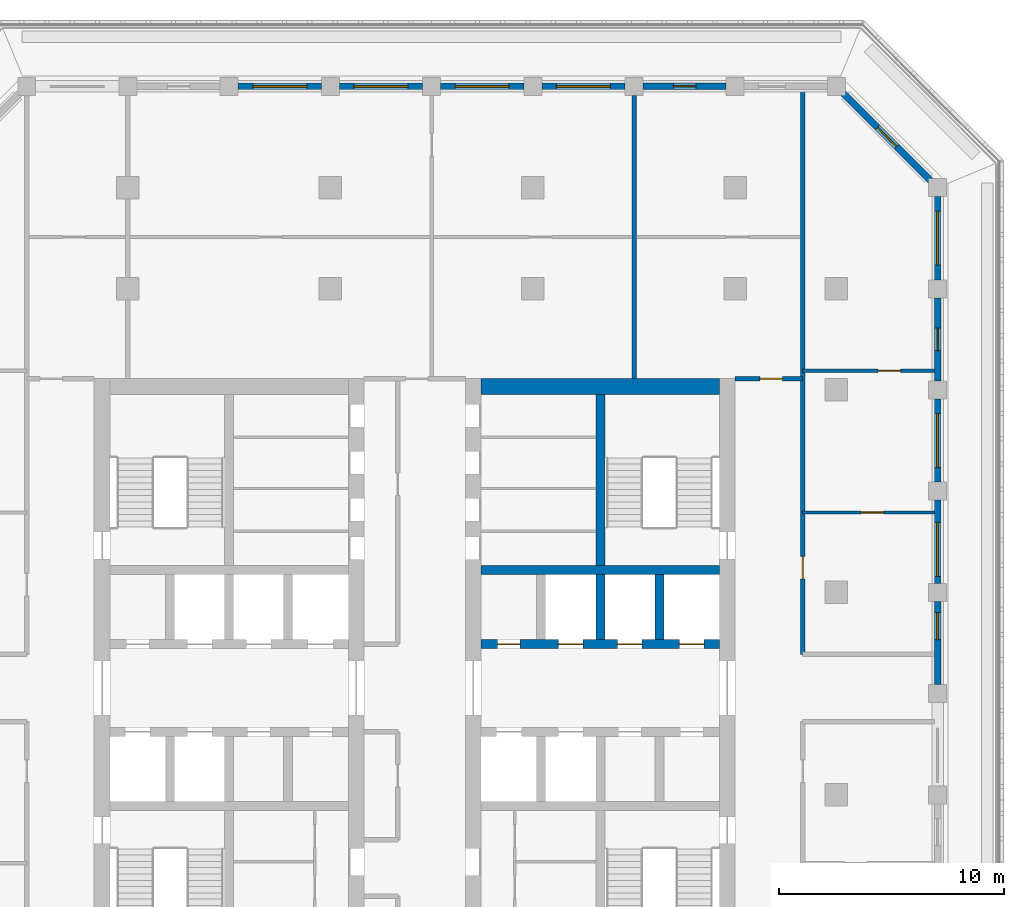
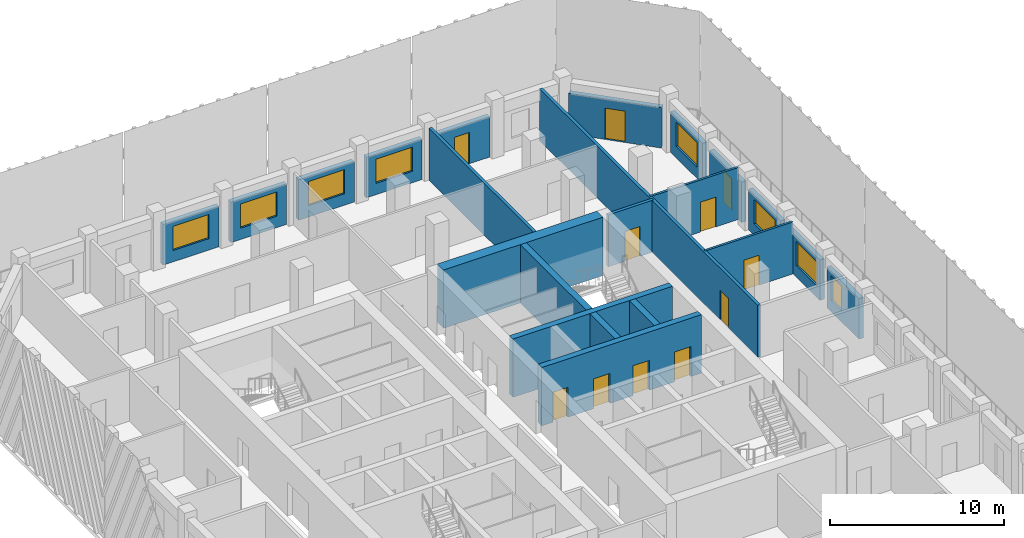
# One storey, part 7 of 17: 22 walls, 11 doors, 8 windows, 19 openings.
"""IFC4 building model written with IfcOpenShell, lengths in metres."""

from ifc_helpers import new_model, si_unit, direction, frame, frame_2d, origin, place, context, subcontext, project, spatial, rectangle, extrude, material, layer, layer_set, type_object, element, fill, save


model = new_model("IFC4")

# Units and contexts
model_context = context("Model", 3, precision=1e-05, world=origin(), true_north=direction((0.0, 1.0)))
body_context = subcontext(model_context, "Body", "Model", "MODEL_VIEW")
ifc_project = project(units=[si_unit("LENGTHUNIT", "METRE"), si_unit("AREAUNIT", "SQUARE_METRE"), si_unit("VOLUMEUNIT", "CUBIC_METRE"), si_unit("PLANEANGLEUNIT", "RADIAN"), si_unit("MASSUNIT", "GRAM", prefix="KILO")], contexts=[model_context])

# Site, building, storey
site_placement = place(None, origin())
site = spatial("IfcSite", under=ifc_project, at=site_placement, CompositionType="ELEMENT")
building_placement = place(site_placement, origin())
building = spatial("IfcBuilding", under=site, at=building_placement, Name="Corbel Stack Research Tower", CompositionType="ELEMENT")
storey_placement = place(building_placement, frame((0.0, 0.0, 239.800048828125)))
storey = spatial("IfcBuildingStorey", under=building, at=storey_placement, Name="L54", CompositionType="ELEMENT", Elevation=239.800048828125)

# Wall, openings, doors
ifc_material_1 = material(Name="Concrete C60/75", Category="concrete")
ifc_layer_1 = layer(ifc_material_1, 0.39990234375)
ifc_layer_set_1 = layer_set([ifc_layer_1], Name="Concrete C60/75")
wall_type_1 = type_object("IfcWallType", Name="CW-400-60", PredefinedType="SHEAR", material=ifc_layer_set_1)
wall_1_placement = place(storey_placement, frame((6.699951171875, 6.699951171875, 0.0), z_axis=(0.0, 0.0, 1.0), x_axis=(1.0, 0.0, 0.0)))
wall_1 = element("IfcWall", 1, at=wall_1_placement, inside=storey, type_object=wall_type_1, Name="East core wall, lobby north L54", PredefinedType="SHEAR", context=body_context, shape_type="SweptSolid", body=[
    extrude(rectangle(XDim=10.60009765625, YDim=0.39990234375, at=frame_2d((5.300048828125, 0.0))), origin(), (0.0, 0.0, 1.0), 4.099853515625),
])
opening_1_placement = place(wall_1_placement, frame((3.4375, 0.0, 0.0)))
opening_1 = element("IfcOpeningElement", 2, at=opening_1_placement, cuts=wall_1, Name="Opening LD-HR4", PredefinedType="OPENING", context=body_context, shape_type="SweptSolid", body=[
    extrude(rectangle(XDim=1.10009765625, YDim=2.10009765625, at=frame_2d((0.550048828125, 1.050048828125))), frame((0.0, 0.2099609375, 0.0), z_axis=(0.0, -1.0, 0.0), x_axis=(1.0, 0.0, 0.0)), (0.0, 0.0, 1.0), 0.419921875),
])
opening_2_placement = place(wall_1_placement, frame((6.0625, 0.0, 0.0)))
opening_2 = element("IfcOpeningElement", 3, at=opening_2_placement, cuts=wall_1, Name="Opening LD-HR5", PredefinedType="OPENING", context=body_context, shape_type="SweptSolid", body=[
    extrude(rectangle(XDim=1.10009765625, YDim=2.10009765625, at=frame_2d((0.550048828125, 1.050048828125))), frame((0.0, 0.2099609375, 0.0), z_axis=(0.0, -1.0, 0.0), x_axis=(1.0, 0.0, 0.0)), (0.0, 0.0, 1.0), 0.419921875),
])
opening_3_placement = place(wall_1_placement, frame((8.8125, 0.0, 0.0)))
opening_3 = element("IfcOpeningElement", 4, at=opening_3_placement, cuts=wall_1, Name="Opening LD-HR6", PredefinedType="OPENING", context=body_context, shape_type="SweptSolid", body=[
    extrude(rectangle(XDim=1.10009765625, YDim=2.10009765625, at=frame_2d((0.550048828125, 1.050048828125))), frame((0.0, 0.2099609375, 0.0), z_axis=(0.0, -1.0, 0.0), x_axis=(1.0, 0.0, 0.0)), (0.0, 0.0, 1.0), 0.419921875),
])
opening_4_placement = place(wall_1_placement, frame((0.737548828125, 0.0, 0.0)))
opening_4 = element("IfcOpeningElement", 5, at=opening_4_placement, cuts=wall_1, Name="Opening CR-E66-N1", PredefinedType="OPENING", context=body_context, shape_type="SweptSolid", body=[
    extrude(rectangle(XDim=1.0, YDim=2.10009765625, at=frame_2d((0.5, 1.050048828125))), frame((0.0, 0.2099609375, 0.0), z_axis=(0.0, -1.0, 0.0), x_axis=(1.0, 0.0, 0.0)), (0.0, 0.0, 1.0), 0.419921875),
])
ifc_material_2 = material(Name="Stainless steel landing door", Category="steel")
door_type_1 = type_object("IfcDoorType", Name="Lift landing door 1100 x 2100", OperationType="DOUBLE_DOOR_SLIDING", PredefinedType="DOOR", material=ifc_material_2)
door_1_placement = place(opening_1_placement, origin())
door_1 = element("IfcDoor", 6, at=door_1_placement, inside=storey, type_object=door_type_1, Name="Landing door HR4", OperationType="DOUBLE_DOOR_SLIDING", OverallHeight=2.10009765625, OverallWidth=1.10009765625, PredefinedType="DOOR", context=body_context, shape_type="SweptSolid", body=[
    extrude(rectangle(XDim=1.10009765625, YDim=2.10009765625, at=frame_2d((0.550048828125, 1.050048828125))), frame((0.0, 0.02490234375, 0.0), z_axis=(0.0, -1.0, 0.0), x_axis=(1.0, 0.0, 0.0)), (0.0, 0.0, 1.0), 0.050048828125),
])
fill(opening_1, door_1)
door_2_placement = place(opening_2_placement, origin())
door_2 = element("IfcDoor", 7, at=door_2_placement, inside=storey, type_object=door_type_1, Name="Landing door HR5", OperationType="DOUBLE_DOOR_SLIDING", OverallHeight=2.10009765625, OverallWidth=1.10009765625, PredefinedType="DOOR", context=body_context, shape_type="SweptSolid", body=[
    extrude(rectangle(XDim=1.10009765625, YDim=2.10009765625, at=frame_2d((0.550048828125, 1.050048828125))), frame((0.0, 0.02490234375, 0.0), z_axis=(0.0, -1.0, 0.0), x_axis=(1.0, 0.0, 0.0)), (0.0, 0.0, 1.0), 0.050048828125),
])
fill(opening_2, door_2)
door_3_placement = place(opening_3_placement, origin())
door_3 = element("IfcDoor", 8, at=door_3_placement, inside=storey, type_object=door_type_1, Name="Landing door HR6", OperationType="DOUBLE_DOOR_SLIDING", OverallHeight=2.10009765625, OverallWidth=1.10009765625, PredefinedType="DOOR", context=body_context, shape_type="SweptSolid", body=[
    extrude(rectangle(XDim=1.10009765625, YDim=2.10009765625, at=frame_2d((0.550048828125, 1.050048828125))), frame((0.0, 0.02490234375, 0.0), z_axis=(0.0, -1.0, 0.0), x_axis=(1.0, 0.0, 0.0)), (0.0, 0.0, 1.0), 0.050048828125),
])
fill(opening_3, door_3)
ifc_material_3 = material(Name="Painted steel door", Category="steel")
door_type_2 = type_object("IfcDoorType", Name="Service door 1000 x 2100 FD60 left hand", OperationType="SINGLE_SWING_LEFT", PredefinedType="DOOR", material=ifc_material_3)
door_4_placement = place(opening_4_placement, origin())
door_4 = element("IfcDoor", 9, at=door_4_placement, inside=storey, type_object=door_type_2, Name="Electrical room door E core", OperationType="SINGLE_SWING_LEFT", OverallHeight=2.10009765625, OverallWidth=1.0, PredefinedType="DOOR", context=body_context, shape_type="SweptSolid", body=[
    extrude(rectangle(XDim=1.0, YDim=2.10009765625, at=frame_2d((0.5, 1.050048828125))), frame((0.0, 0.02490234375, 0.0), z_axis=(0.0, -1.0, 0.0), x_axis=(1.0, 0.0, 0.0)), (0.0, 0.0, 1.0), 0.050048828125),
])
fill(opening_4, door_4)

# Walls
wall_2_placement = place(storey_placement, frame((6.699951171875, 10.0, 0.0), z_axis=(0.0, 0.0, 1.0), x_axis=(1.0, 0.0, 0.0)))
element("IfcWall", 10, at=wall_2_placement, inside=storey, type_object=wall_type_1, Name="East core wall, north row back L54", PredefinedType="SHEAR", context=body_context, shape_type="SweptSolid", body=[
    extrude(rectangle(XDim=10.60009765625, YDim=0.39990234375, at=frame_2d((5.300048828125, 0.0))), origin(), (0.0, 0.0, 1.0), 4.099853515625),
])
for number, where, z_axis, x_axis, name in (
    (11, (12.0, 6.89990234375, 0.0), (0.0, 0.0, 1.0), (0.0, 1.0, 0.0), "East core wall, north shaft 2 L54"),
    (12, (14.625, 6.89990234375, 0.0), (0.0, 0.0, 1.0), (0.0, 1.0, 0.0), "East core wall, north shaft 3 L54"),
):
    element("IfcWall", number, at=place(storey_placement, frame(where, z_axis=z_axis, x_axis=x_axis)), inside=storey, type_object=wall_type_1, Name=name, PredefinedType="SHEAR", context=body_context, shape_type="SweptSolid", body=[
        extrude(rectangle(XDim=2.900146484375, YDim=0.39990234375, at=frame_2d((1.4501953125, 0.0))), origin(), (0.0, 0.0, 1.0), 4.099853515625),
    ])
wall_3_placement = place(storey_placement, frame((12.0, 10.199951171875, 0.0), z_axis=(0.0, 0.0, 1.0), x_axis=(0.0, 1.0, 0.0)))
element("IfcWall", 13, at=wall_3_placement, inside=storey, type_object=wall_type_1, Name="East core wall, north stair and riser L54", PredefinedType="SHEAR", context=body_context, shape_type="SweptSolid", body=[
    extrude(rectangle(XDim=7.60009765625, YDim=0.39990234375, at=frame_2d((3.800048828125, 0.0))), origin(), (0.0, 0.0, 1.0), 4.099853515625),
])
ifc_material_4 = material(Name="Concrete C60/75", Category="concrete")
ifc_layer_2 = layer(ifc_material_4, 0.699951171875)
ifc_layer_set_2 = layer_set([ifc_layer_2], Name="Concrete C60/75")
wall_type_2 = type_object("IfcWallType", Name="CW-700-60", PredefinedType="SHEAR", material=ifc_layer_set_2)
wall_4_placement = place(storey_placement, frame((6.699951171875, 18.14990234375, 0.0), z_axis=(0.0, 0.0, 1.0), x_axis=(1.0, 0.0, 0.0)))
element("IfcWall", 14, at=wall_4_placement, inside=storey, type_object=wall_type_2, Name="East core wall, north end L54", PredefinedType="SHEAR", context=body_context, shape_type="SweptSolid", body=[
    extrude(rectangle(XDim=10.60009765625, YDim=0.699951171875, at=frame_2d((5.300048828125, 0.0))), origin(), (0.0, 0.0, 1.0), 4.099853515625),
])
ifc_material_5 = material(Name="Fire-rated gypsum board partition on steel studs", Category="steel")
ifc_layer_3 = layer(ifc_material_5, 0.199951171875)
ifc_layer_set_3 = layer_set([ifc_layer_3], Name="Fire-rated gypsum board partition on steel studs")
wall_type_3 = type_object("IfcWallType", Name="Fire-rated partition 200 EI 60", PredefinedType="PARTITIONING", material=ifc_layer_set_3)
wall_5_placement = place(storey_placement, frame((13.5, 18.5, 0.0), z_axis=(0.0, 0.0, 1.0), x_axis=(0.0, 1.0, 0.0)))
element("IfcWall", 15, at=wall_5_placement, inside=storey, type_object=wall_type_3, Name="Partition L54-014", PredefinedType="PARTITIONING", context=body_context, shape_type="SweptSolid", body=[
    extrude(rectangle(XDim=12.60009765625, YDim=0.199951171875, at=frame_2d((6.300048828125, 0.0))), origin(), (0.0, 0.0, 1.0), 3.64990234375),
])

# Wall, opening, door
wall_6_placement = place(storey_placement, frame((21.0, 31.35009765625, 0.0), z_axis=(0.0, 0.0, 1.0), x_axis=(0.0, -1.0, 0.0)))
wall_6 = element("IfcWall", 16, at=wall_6_placement, inside=storey, type_object=wall_type_3, Name="Partition L54-016", PredefinedType="PARTITIONING", context=body_context, shape_type="SweptSolid", body=[
    extrude(rectangle(XDim=25.10009765625, YDim=0.199951171875, at=frame_2d((12.550048828125, 0.0))), origin(), (0.0, 0.0, 1.0), 3.64990234375),
])
opening_5_placement = place(wall_6_placement, frame((20.75, 0.0, 0.0)))
opening_5 = element("IfcOpeningElement", 17, at=opening_5_placement, cuts=wall_6, Name="Opening B7V0-027", PredefinedType="OPENING", context=body_context, shape_type="SweptSolid", body=[
    extrude(rectangle(XDim=1.0, YDim=2.10009765625, at=frame_2d((0.5, 1.050048828125))), frame((0.0, 0.10986328125, 0.0), z_axis=(0.0, -1.0, 0.0), x_axis=(1.0, 0.0, 0.0)), (0.0, 0.0, 1.0), 0.219970703125),
])
ifc_material_6 = material(Name="Painted steel fire door", Category="steel")
door_type_3 = type_object("IfcDoorType", Name="Fire door FD30S 1000 x 2100", OperationType="NOTDEFINED", PredefinedType="DOOR", material=ifc_material_6)
door_5_placement = place(opening_5_placement, origin())
door_5 = element("IfcDoor", 18, at=door_5_placement, inside=storey, type_object=door_type_3, Name="Door B7V0-027", OperationType="SINGLE_SWING_RIGHT", OverallHeight=2.10009765625, OverallWidth=1.0, PredefinedType="DOOR", context=body_context, shape_type="SweptSolid", body=[
    extrude(rectangle(XDim=1.0, YDim=2.10009765625, at=frame_2d((0.5, 1.050048828125))), frame((0.0, 0.02490234375, 0.0), z_axis=(0.0, -1.0, 0.0), x_axis=(1.0, 0.0, 0.0)), (0.0, 0.0, 1.0), 0.050048828125),
])
fill(opening_5, door_5)

wall_7_placement = place(storey_placement, frame((18.0, 18.5, 0.0), z_axis=(0.0, 0.0, 1.0), x_axis=(1.0, 0.0, 0.0)))
wall_7 = element("IfcWall", 19, at=wall_7_placement, inside=storey, type_object=wall_type_3, Name="Partition L54-038", PredefinedType="PARTITIONING", context=body_context, shape_type="SweptSolid", body=[
    extrude(rectangle(XDim=3.0, YDim=0.199951171875, at=frame_2d((1.5, 0.0))), origin(), (0.0, 0.0, 1.0), 3.64990234375),
])
opening_6_placement = place(wall_7_placement, frame((1.10009765625, 0.0, 0.0)))
opening_6 = element("IfcOpeningElement", 20, at=opening_6_placement, cuts=wall_7, Name="Opening B7V0-023", PredefinedType="OPENING", context=body_context, shape_type="SweptSolid", body=[
    extrude(rectangle(XDim=1.0, YDim=2.10009765625, at=frame_2d((0.5, 1.050048828125))), frame((0.0, 0.10986328125, 0.0), z_axis=(0.0, -1.0, 0.0), x_axis=(1.0, 0.0, 0.0)), (0.0, 0.0, 1.0), 0.219970703125),
])
door_6_placement = place(opening_6_placement, origin())
door_6 = element("IfcDoor", 21, at=door_6_placement, inside=storey, type_object=door_type_3, Name="Door B7V0-023", OperationType="SINGLE_SWING_RIGHT", OverallHeight=2.10009765625, OverallWidth=1.0, PredefinedType="DOOR", context=body_context, shape_type="SweptSolid", body=[
    extrude(rectangle(XDim=1.0, YDim=2.10009765625, at=frame_2d((0.5, 1.050048828125))), frame((0.0, 0.02490234375, 0.0), z_axis=(0.0, -1.0, 0.0), x_axis=(1.0, 0.0, 0.0)), (0.0, 0.0, 1.0), 0.050048828125),
])
fill(opening_6, door_6)

ifc_material_7 = material(Name="Gypsum board partition on steel studs", Category="steel")
ifc_layer_4 = layer(ifc_material_7, 0.14990234375)
ifc_layer_set_4 = layer_set([ifc_layer_4], Name="Gypsum board partition on steel studs")
wall_type_4 = type_object("IfcWallType", Name="Partition 150", PredefinedType="PARTITIONING", material=ifc_layer_set_4)
wall_8_placement = place(storey_placement, frame((21.0, 12.550048828125, 0.0), z_axis=(0.0, 0.0, 1.0), x_axis=(1.0, 0.0, 0.0)))
wall_8 = element("IfcWall", 22, at=wall_8_placement, inside=storey, type_object=wall_type_4, Name="Partition L54-035", PredefinedType="PARTITIONING", context=body_context, shape_type="SweptSolid", body=[
    extrude(rectangle(XDim=5.85009765625, YDim=0.14990234375, at=frame_2d((2.925048828125, 0.0))), origin(), (0.0, 0.0, 1.0), 3.64990234375),
])
opening_7_placement = place(wall_8_placement, frame((2.60009765625, 0.0, 0.0)))
opening_7 = element("IfcOpeningElement", 23, at=opening_7_placement, cuts=wall_8, Name="Opening B7V0-020", PredefinedType="OPENING", context=body_context, shape_type="SweptSolid", body=[
    extrude(rectangle(XDim=1.0, YDim=2.10009765625, at=frame_2d((0.5, 1.050048828125))), frame((0.0, 0.0849609375, 0.0), z_axis=(0.0, -1.0, 0.0), x_axis=(1.0, 0.0, 0.0)), (0.0, 0.0, 1.0), 0.169921875),
])
ifc_material_8 = material(Name="Painted timber door", Category="wood")
door_type_4 = type_object("IfcDoorType", Name="Single door 1000 x 2100", OperationType="NOTDEFINED", PredefinedType="DOOR", material=ifc_material_8)
door_7_placement = place(opening_7_placement, origin())
door_7 = element("IfcDoor", 24, at=door_7_placement, inside=storey, type_object=door_type_4, Name="Door B7V0-020", OperationType="SINGLE_SWING_RIGHT", OverallHeight=2.10009765625, OverallWidth=1.0, PredefinedType="DOOR", context=body_context, shape_type="SweptSolid", body=[
    extrude(rectangle(XDim=1.0, YDim=2.10009765625, at=frame_2d((0.5, 1.050048828125))), frame((0.0, 0.02490234375, 0.0), z_axis=(0.0, -1.0, 0.0), x_axis=(1.0, 0.0, 0.0)), (0.0, 0.0, 1.0), 0.050048828125),
])
fill(opening_7, door_7)

wall_9_placement = place(storey_placement, frame((21.0, 18.85009765625, 0.0), z_axis=(0.0, 0.0, 1.0), x_axis=(1.0, 0.0, 0.0)))
wall_9 = element("IfcWall", 25, at=wall_9_placement, inside=storey, type_object=wall_type_4, Name="Partition L54-040", PredefinedType="PARTITIONING", context=body_context, shape_type="SweptSolid", body=[
    extrude(rectangle(XDim=5.85009765625, YDim=0.14990234375, at=frame_2d((2.925048828125, 0.0))), origin(), (0.0, 0.0, 1.0), 3.64990234375),
])
opening_8_placement = place(wall_9_placement, frame((3.35009765625, 0.0, 0.0)))
opening_8 = element("IfcOpeningElement", 26, at=opening_8_placement, cuts=wall_9, Name="Opening B7V0-025", PredefinedType="OPENING", context=body_context, shape_type="SweptSolid", body=[
    extrude(rectangle(XDim=1.0, YDim=2.10009765625, at=frame_2d((0.5, 1.050048828125))), frame((0.0, 0.0849609375, 0.0), z_axis=(0.0, -1.0, 0.0), x_axis=(1.0, 0.0, 0.0)), (0.0, 0.0, 1.0), 0.169921875),
])
door_8_placement = place(opening_8_placement, origin())
door_8 = element("IfcDoor", 27, at=door_8_placement, inside=storey, type_object=door_type_4, Name="Door B7V0-025", OperationType="SINGLE_SWING_RIGHT", OverallHeight=2.10009765625, OverallWidth=1.0, PredefinedType="DOOR", context=body_context, shape_type="SweptSolid", body=[
    extrude(rectangle(XDim=1.0, YDim=2.10009765625, at=frame_2d((0.5, 1.050048828125))), frame((0.0, 0.02490234375, 0.0), z_axis=(0.0, -1.0, 0.0), x_axis=(1.0, 0.0, 0.0)), (0.0, 0.0, 1.0), 0.050048828125),
])
fill(opening_8, door_8)

# Wall, opening, window
ifc_material_9 = material(Name="Concrete C45/55", Category="concrete")
ifc_layer_5 = layer(ifc_material_9, 0.300048828125)
ifc_layer_set_5 = layer_set([ifc_layer_5], Name="Concrete C45/55")
wall_type_5 = type_object("IfcWallType", Name="Terracotta-faced concrete wall 300", PredefinedType="SOLIDWALL", material=ifc_layer_set_5)
wall_10_placement = place(storey_placement, frame((27.0, 8.60009765625, 0.0), z_axis=(0.0, 0.0, 1.0), x_axis=(0.0, -1.0, 0.0)))
wall_10 = element("IfcWall", 28, at=wall_10_placement, inside=storey, type_object=wall_type_5, Name="Facade wall L54 E06", PredefinedType="SOLIDWALL", context=body_context, shape_type="SweptSolid", body=[
    extrude(rectangle(XDim=3.7001953125, YDim=0.300048828125, at=frame_2d((1.85009765625, 0.0))), origin(), (0.0, 0.0, 1.0), 2.849853515625),
])
opening_9_placement = place(wall_10_placement, frame((0.5, 0.0, 0.800048828125)))
opening_9 = element("IfcOpeningElement", 29, at=opening_9_placement, cuts=wall_10, Name="Opening W2", PredefinedType="OPENING", context=body_context, shape_type="SweptSolid", body=[
    extrude(rectangle(XDim=1.199951171875, YDim=1.699951171875, at=frame_2d((0.60009765625, 0.85009765625))), frame((0.0, 0.159912109375, 0.0), z_axis=(0.0, -1.0, 0.0), x_axis=(1.0, 0.0, 0.0)), (0.0, 0.0, 1.0), 0.320068359375),
])
ifc_material_10 = material(Name="Aluminium frame, clear double glazing", Category="aluminium")
window_type_1 = type_object("IfcWindowType", Name="Window W2 1200 x 1700", PartitioningType="SINGLE_PANEL", PredefinedType="WINDOW", material=ifc_material_10)
window_1_placement = place(opening_9_placement, origin())
window_1 = element("IfcWindow", 30, at=window_1_placement, inside=storey, type_object=window_type_1, Name="Window W2 L54 E06", OverallHeight=1.699951171875, OverallWidth=1.199951171875, PartitioningType="SINGLE_PANEL", PredefinedType="WINDOW", context=body_context, shape_type="SweptSolid", body=[
    extrude(rectangle(XDim=1.199951171875, YDim=1.699951171875, at=frame_2d((0.60009765625, 0.85009765625))), frame((0.0, 0.030029296875, 0.0), z_axis=(0.0, -1.0, 0.0), x_axis=(1.0, 0.0, 0.0)), (0.0, 0.0, 1.0), 0.06005859375),
])
fill(opening_9, window_1)

wall_11_placement = place(storey_placement, frame((27.0, 13.10009765625, 0.0), z_axis=(0.0, 0.0, 1.0), x_axis=(0.0, -1.0, 0.0)))
wall_11 = element("IfcWall", 31, at=wall_11_placement, inside=storey, type_object=wall_type_5, Name="Facade wall L54 E07", PredefinedType="SOLIDWALL", context=body_context, shape_type="SweptSolid", body=[
    extrude(rectangle(XDim=3.7001953125, YDim=0.300048828125, at=frame_2d((1.85009765625, 0.0))), origin(), (0.0, 0.0, 1.0), 2.849853515625),
])
opening_10_placement = place(wall_11_placement, frame((0.987548828125, 0.0, 0.800048828125)))
opening_10 = element("IfcOpeningElement", 32, at=opening_10_placement, cuts=wall_11, Name="Opening W1", PredefinedType="OPENING", context=body_context, shape_type="SweptSolid", body=[
    extrude(rectangle(XDim=2.39990234375, YDim=1.699951171875, at=frame_2d((1.199951171875, 0.85009765625))), frame((0.0, 0.159912109375, 0.0), z_axis=(0.0, -1.0, 0.0), x_axis=(1.0, 0.0, 0.0)), (0.0, 0.0, 1.0), 0.320068359375),
])
ifc_material_11 = material(Name="Aluminium frame, clear double glazing", Category="aluminium")
window_type_2 = type_object("IfcWindowType", Name="Window W1 2400 x 1700", PartitioningType="SINGLE_PANEL", PredefinedType="WINDOW", material=ifc_material_11)
window_2_placement = place(opening_10_placement, origin())
window_2 = element("IfcWindow", 33, at=window_2_placement, inside=storey, type_object=window_type_2, Name="Window W1 L54 E07", OverallHeight=1.699951171875, OverallWidth=2.39990234375, PartitioningType="SINGLE_PANEL", PredefinedType="WINDOW", context=body_context, shape_type="SweptSolid", body=[
    extrude(rectangle(XDim=2.39990234375, YDim=1.699951171875, at=frame_2d((1.199951171875, 0.85009765625))), frame((0.0, 0.030029296875, 0.0), z_axis=(0.0, -1.0, 0.0), x_axis=(1.0, 0.0, 0.0)), (0.0, 0.0, 1.0), 0.06005859375),
])
fill(opening_10, window_2)

wall_12_placement = place(storey_placement, frame((27.0, 17.60009765625, 0.0), z_axis=(0.0, 0.0, 1.0), x_axis=(0.0, -1.0, 0.0)))
wall_12 = element("IfcWall", 34, at=wall_12_placement, inside=storey, type_object=wall_type_5, Name="Facade wall L54 E08", PredefinedType="SOLIDWALL", context=body_context, shape_type="SweptSolid", body=[
    extrude(rectangle(XDim=3.7001953125, YDim=0.300048828125, at=frame_2d((1.85009765625, 0.0))), origin(), (0.0, 0.0, 1.0), 2.849853515625),
])
opening_11_placement = place(wall_12_placement, frame((0.64990234375, 0.0, 0.800048828125)))
opening_11 = element("IfcOpeningElement", 35, at=opening_11_placement, cuts=wall_12, Name="Opening W1", PredefinedType="OPENING", context=body_context, shape_type="SweptSolid", body=[
    extrude(rectangle(XDim=2.39990234375, YDim=1.699951171875, at=frame_2d((1.199951171875, 0.85009765625))), frame((0.0, 0.159912109375, 0.0), z_axis=(0.0, -1.0, 0.0), x_axis=(1.0, 0.0, 0.0)), (0.0, 0.0, 1.0), 0.320068359375),
])
window_3_placement = place(opening_11_placement, origin())
window_3 = element("IfcWindow", 36, at=window_3_placement, inside=storey, type_object=window_type_2, Name="Window W1 L54 E08", OverallHeight=1.699951171875, OverallWidth=2.39990234375, PartitioningType="SINGLE_PANEL", PredefinedType="WINDOW", context=body_context, shape_type="SweptSolid", body=[
    extrude(rectangle(XDim=2.39990234375, YDim=1.699951171875, at=frame_2d((1.199951171875, 0.85009765625))), frame((0.0, 0.030029296875, 0.0), z_axis=(0.0, -1.0, 0.0), x_axis=(1.0, 0.0, 0.0)), (0.0, 0.0, 1.0), 0.06005859375),
])
fill(opening_11, window_3)

# Wall, opening, door
wall_13_placement = place(storey_placement, frame((27.0, 22.10009765625, 0.0), z_axis=(0.0, 0.0, 1.0), x_axis=(0.0, -1.0, 0.0)))
wall_13 = element("IfcWall", 37, at=wall_13_placement, inside=storey, type_object=wall_type_5, Name="Facade wall L54 E09", PredefinedType="SOLIDWALL", context=body_context, shape_type="SweptSolid", body=[
    extrude(rectangle(XDim=3.7001953125, YDim=0.300048828125, at=frame_2d((1.85009765625, 0.0))), origin(), (0.0, 0.0, 1.0), 2.849853515625),
])
opening_12_placement = place(wall_13_placement, frame((1.35009765625, 0.0, 0.0)))
opening_12 = element("IfcOpeningElement", 38, at=opening_12_placement, cuts=wall_13, Name="Opening L54-B05", PredefinedType="OPENING", context=body_context, shape_type="SweptSolid", body=[
    extrude(rectangle(XDim=1.0, YDim=2.199951171875, at=frame_2d((0.5, 1.10009765625))), frame((0.0, 0.159912109375, 0.0), z_axis=(0.0, -1.0, 0.0), x_axis=(1.0, 0.0, 0.0)), (0.0, 0.0, 1.0), 0.320068359375),
])
ifc_material_12 = material(Name="Aluminium frame, clear double glazing", Category="aluminium")
door_type_5 = type_object("IfcDoorType", Name="Balcony door BD1 1000 x 2200", OperationType="NOTDEFINED", PredefinedType="DOOR", material=ifc_material_12)
door_9_placement = place(opening_12_placement, origin())
door_9 = element("IfcDoor", 39, at=door_9_placement, inside=storey, type_object=door_type_5, Name="Balcony door L54-B05", OperationType="SINGLE_SWING_LEFT", OverallHeight=2.199951171875, OverallWidth=1.0, PredefinedType="DOOR", context=body_context, shape_type="SweptSolid", body=[
    extrude(rectangle(XDim=1.0, YDim=2.199951171875, at=frame_2d((0.5, 1.10009765625))), frame((0.0, 0.02490234375, 0.0), z_axis=(0.0, -1.0, 0.0), x_axis=(1.0, 0.0, 0.0)), (0.0, 0.0, 1.0), 0.050048828125),
])
fill(opening_12, door_9)

# Wall, opening, window
wall_14_placement = place(storey_placement, frame((27.0, 26.60009765625, 0.0), z_axis=(0.0, 0.0, 1.0), x_axis=(0.0, -1.0, 0.0)))
wall_14 = element("IfcWall", 40, at=wall_14_placement, inside=storey, type_object=wall_type_5, Name="Facade wall L54 E10", PredefinedType="SOLIDWALL", context=body_context, shape_type="SweptSolid", body=[
    extrude(rectangle(XDim=3.7001953125, YDim=0.300048828125, at=frame_2d((1.85009765625, 0.0))), origin(), (0.0, 0.0, 1.0), 2.849853515625),
])
opening_13_placement = place(wall_14_placement, frame((0.64990234375, 0.0, 0.800048828125)))
opening_13 = element("IfcOpeningElement", 41, at=opening_13_placement, cuts=wall_14, Name="Opening W1", PredefinedType="OPENING", context=body_context, shape_type="SweptSolid", body=[
    extrude(rectangle(XDim=2.39990234375, YDim=1.699951171875, at=frame_2d((1.199951171875, 0.85009765625))), frame((0.0, 0.159912109375, 0.0), z_axis=(0.0, -1.0, 0.0), x_axis=(1.0, 0.0, 0.0)), (0.0, 0.0, 1.0), 0.320068359375),
])
window_4_placement = place(opening_13_placement, origin())
window_4 = element("IfcWindow", 42, at=window_4_placement, inside=storey, type_object=window_type_2, Name="Window W1 L54 E10", OverallHeight=1.699951171875, OverallWidth=2.39990234375, PartitioningType="SINGLE_PANEL", PredefinedType="WINDOW", context=body_context, shape_type="SweptSolid", body=[
    extrude(rectangle(XDim=2.39990234375, YDim=1.699951171875, at=frame_2d((1.199951171875, 0.85009765625))), frame((0.0, 0.030029296875, 0.0), z_axis=(0.0, -1.0, 0.0), x_axis=(1.0, 0.0, 0.0)), (0.0, 0.0, 1.0), 0.06005859375),
])
fill(opening_13, window_4)

# Wall, opening, door
wall_15_placement = place(storey_placement, frame((22.7939453125, 31.2060546875, 0.0), z_axis=(0.0, 0.0, 1.0), x_axis=(0.707106781187, -0.707106781187, 0.0)))
wall_15 = element("IfcWall", 43, at=wall_15_placement, inside=storey, type_object=wall_type_5, Name="Facade wall L54 NE01", PredefinedType="SOLIDWALL", context=body_context, shape_type="SweptSolid", body=[
    extrude(rectangle(XDim=5.532470703125, YDim=0.300048828125, at=frame_2d((2.76611328125, 0.0))), origin(), (0.0, 0.0, 1.0), 2.849853515625),
])
opening_14_placement = place(wall_15_placement, frame((2.166259765625, 0.0, 0.0)))
opening_14 = element("IfcOpeningElement", 44, at=opening_14_placement, cuts=wall_15, Name="Opening L54-B06", PredefinedType="OPENING", context=body_context, shape_type="SweptSolid", body=[
    extrude(rectangle(XDim=1.199951171875, YDim=2.199951171875, at=frame_2d((0.60009765625, 1.10009765625))), frame((0.0, 0.159912109375, 0.0), z_axis=(0.0, -1.0, 0.0), x_axis=(1.0, 0.0, 0.0)), (0.0, 0.0, 1.0), 0.320068359375),
])
ifc_material_13 = material(Name="Aluminium frame, clear double glazing", Category="aluminium")
door_type_6 = type_object("IfcDoorType", Name="Balcony door BD2 1200 x 2200", OperationType="NOTDEFINED", PredefinedType="DOOR", material=ifc_material_13)
door_10_placement = place(opening_14_placement, origin())
door_10 = element("IfcDoor", 45, at=door_10_placement, inside=storey, type_object=door_type_6, Name="Balcony door L54-B06", OperationType="SINGLE_SWING_LEFT", OverallHeight=2.199951171875, OverallWidth=1.199951171875, PredefinedType="DOOR", context=body_context, shape_type="SweptSolid", body=[
    extrude(rectangle(XDim=1.199951171875, YDim=2.199951171875, at=frame_2d((0.60009765625, 1.10009765625))), frame((0.0, 0.02490234375, 0.0), z_axis=(0.0, -1.0, 0.0), x_axis=(1.0, 0.0, 0.0)), (0.0, 0.0, 1.0), 0.050048828125),
])
fill(opening_14, door_10)

wall_16_placement = place(storey_placement, frame((13.89990234375, 31.5, 0.0), z_axis=(0.0, 0.0, 1.0), x_axis=(1.0, 0.0, 0.0)))
wall_16 = element("IfcWall", 46, at=wall_16_placement, inside=storey, type_object=wall_type_5, Name="Facade wall L54 N02", PredefinedType="SOLIDWALL", context=body_context, shape_type="SweptSolid", body=[
    extrude(rectangle(XDim=3.7001953125, YDim=0.300048828125, at=frame_2d((1.85009765625, 0.0))), origin(), (0.0, 0.0, 1.0), 2.849853515625),
])
opening_15_placement = place(wall_16_placement, frame((1.35009765625, 0.0, 0.0)))
opening_15 = element("IfcOpeningElement", 47, at=opening_15_placement, cuts=wall_16, Name="Opening L54-B07", PredefinedType="OPENING", context=body_context, shape_type="SweptSolid", body=[
    extrude(rectangle(XDim=1.0, YDim=2.199951171875, at=frame_2d((0.5, 1.10009765625))), frame((0.0, 0.159912109375, 0.0), z_axis=(0.0, -1.0, 0.0), x_axis=(1.0, 0.0, 0.0)), (0.0, 0.0, 1.0), 0.320068359375),
])
door_11_placement = place(opening_15_placement, origin())
door_11 = element("IfcDoor", 48, at=door_11_placement, inside=storey, type_object=door_type_5, Name="Balcony door L54-B07", OperationType="SINGLE_SWING_RIGHT", OverallHeight=2.199951171875, OverallWidth=1.0, PredefinedType="DOOR", context=body_context, shape_type="SweptSolid", body=[
    extrude(rectangle(XDim=1.0, YDim=2.199951171875, at=frame_2d((0.5, 1.10009765625))), frame((0.0, 0.02490234375, 0.0), z_axis=(0.0, -1.0, 0.0), x_axis=(1.0, 0.0, 0.0)), (0.0, 0.0, 1.0), 0.050048828125),
])
fill(opening_15, door_11)

# Wall, opening, window
wall_17_placement = place(storey_placement, frame((9.39990234375, 31.5, 0.0), z_axis=(0.0, 0.0, 1.0), x_axis=(1.0, 0.0, 0.0)))
wall_17 = element("IfcWall", 49, at=wall_17_placement, inside=storey, type_object=wall_type_5, Name="Facade wall L54 N03", PredefinedType="SOLIDWALL", context=body_context, shape_type="SweptSolid", body=[
    extrude(rectangle(XDim=3.7001953125, YDim=0.300048828125, at=frame_2d((1.85009765625, 0.0))), origin(), (0.0, 0.0, 1.0), 2.849853515625),
])
opening_16_placement = place(wall_17_placement, frame((0.64990234375, 0.0, 0.800048828125)))
opening_16 = element("IfcOpeningElement", 50, at=opening_16_placement, cuts=wall_17, Name="Opening W1", PredefinedType="OPENING", context=body_context, shape_type="SweptSolid", body=[
    extrude(rectangle(XDim=2.39990234375, YDim=1.699951171875, at=frame_2d((1.199951171875, 0.85009765625))), frame((0.0, 0.159912109375, 0.0), z_axis=(0.0, -1.0, 0.0), x_axis=(1.0, 0.0, 0.0)), (0.0, 0.0, 1.0), 0.320068359375),
])
window_5_placement = place(opening_16_placement, origin())
window_5 = element("IfcWindow", 51, at=window_5_placement, inside=storey, type_object=window_type_2, Name="Window W1 L54 N03", OverallHeight=1.699951171875, OverallWidth=2.39990234375, PartitioningType="SINGLE_PANEL", PredefinedType="WINDOW", context=body_context, shape_type="SweptSolid", body=[
    extrude(rectangle(XDim=2.39990234375, YDim=1.699951171875, at=frame_2d((1.199951171875, 0.85009765625))), frame((0.0, 0.030029296875, 0.0), z_axis=(0.0, -1.0, 0.0), x_axis=(1.0, 0.0, 0.0)), (0.0, 0.0, 1.0), 0.06005859375),
])
fill(opening_16, window_5)

wall_18_placement = place(storey_placement, frame((4.89990234375, 31.5, 0.0), z_axis=(0.0, 0.0, 1.0), x_axis=(1.0, 0.0, 0.0)))
wall_18 = element("IfcWall", 52, at=wall_18_placement, inside=storey, type_object=wall_type_5, Name="Facade wall L54 N04", PredefinedType="SOLIDWALL", context=body_context, shape_type="SweptSolid", body=[
    extrude(rectangle(XDim=3.7001953125, YDim=0.300048828125, at=frame_2d((1.85009765625, 0.0))), origin(), (0.0, 0.0, 1.0), 2.849853515625),
])
opening_17_placement = place(wall_18_placement, frame((0.64990234375, 0.0, 0.800048828125)))
opening_17 = element("IfcOpeningElement", 53, at=opening_17_placement, cuts=wall_18, Name="Opening W1", PredefinedType="OPENING", context=body_context, shape_type="SweptSolid", body=[
    extrude(rectangle(XDim=2.39990234375, YDim=1.699951171875, at=frame_2d((1.199951171875, 0.85009765625))), frame((0.0, 0.159912109375, 0.0), z_axis=(0.0, -1.0, 0.0), x_axis=(1.0, 0.0, 0.0)), (0.0, 0.0, 1.0), 0.320068359375),
])
window_6_placement = place(opening_17_placement, origin())
window_6 = element("IfcWindow", 54, at=window_6_placement, inside=storey, type_object=window_type_2, Name="Window W1 L54 N04", OverallHeight=1.699951171875, OverallWidth=2.39990234375, PartitioningType="SINGLE_PANEL", PredefinedType="WINDOW", context=body_context, shape_type="SweptSolid", body=[
    extrude(rectangle(XDim=2.39990234375, YDim=1.699951171875, at=frame_2d((1.199951171875, 0.85009765625))), frame((0.0, 0.030029296875, 0.0), z_axis=(0.0, -1.0, 0.0), x_axis=(1.0, 0.0, 0.0)), (0.0, 0.0, 1.0), 0.06005859375),
])
fill(opening_17, window_6)

wall_19_placement = place(storey_placement, frame((0.39990234375, 31.5, 0.0), z_axis=(0.0, 0.0, 1.0), x_axis=(1.0, 0.0, 0.0)))
wall_19 = element("IfcWall", 55, at=wall_19_placement, inside=storey, type_object=wall_type_5, Name="Facade wall L54 N05", PredefinedType="SOLIDWALL", context=body_context, shape_type="SweptSolid", body=[
    extrude(rectangle(XDim=3.7001953125, YDim=0.300048828125, at=frame_2d((1.85009765625, 0.0))), origin(), (0.0, 0.0, 1.0), 2.849853515625),
])
opening_18_placement = place(wall_19_placement, frame((0.64990234375, 0.0, 0.800048828125)))
opening_18 = element("IfcOpeningElement", 56, at=opening_18_placement, cuts=wall_19, Name="Opening W1", PredefinedType="OPENING", context=body_context, shape_type="SweptSolid", body=[
    extrude(rectangle(XDim=2.39990234375, YDim=1.699951171875, at=frame_2d((1.199951171875, 0.85009765625))), frame((0.0, 0.159912109375, 0.0), z_axis=(0.0, -1.0, 0.0), x_axis=(1.0, 0.0, 0.0)), (0.0, 0.0, 1.0), 0.320068359375),
])
window_7_placement = place(opening_18_placement, origin())
window_7 = element("IfcWindow", 57, at=window_7_placement, inside=storey, type_object=window_type_2, Name="Window W1 L54 N05", OverallHeight=1.699951171875, OverallWidth=2.39990234375, PartitioningType="SINGLE_PANEL", PredefinedType="WINDOW", context=body_context, shape_type="SweptSolid", body=[
    extrude(rectangle(XDim=2.39990234375, YDim=1.699951171875, at=frame_2d((1.199951171875, 0.85009765625))), frame((0.0, 0.030029296875, 0.0), z_axis=(0.0, -1.0, 0.0), x_axis=(1.0, 0.0, 0.0)), (0.0, 0.0, 1.0), 0.06005859375),
])
fill(opening_18, window_7)

wall_20_placement = place(storey_placement, frame((-4.10009765625, 31.5, 0.0), z_axis=(0.0, 0.0, 1.0), x_axis=(1.0, 0.0, 0.0)))
wall_20 = element("IfcWall", 58, at=wall_20_placement, inside=storey, type_object=wall_type_5, Name="Facade wall L54 N06", PredefinedType="SOLIDWALL", context=body_context, shape_type="SweptSolid", body=[
    extrude(rectangle(XDim=3.7001953125, YDim=0.300048828125, at=frame_2d((1.85009765625, 0.0))), origin(), (0.0, 0.0, 1.0), 2.849853515625),
])
opening_19_placement = place(wall_20_placement, frame((0.64990234375, 0.0, 0.800048828125)))
opening_19 = element("IfcOpeningElement", 59, at=opening_19_placement, cuts=wall_20, Name="Opening W1", PredefinedType="OPENING", context=body_context, shape_type="SweptSolid", body=[
    extrude(rectangle(XDim=2.39990234375, YDim=1.699951171875, at=frame_2d((1.199951171875, 0.85009765625))), frame((0.0, 0.159912109375, 0.0), z_axis=(0.0, -1.0, 0.0), x_axis=(1.0, 0.0, 0.0)), (0.0, 0.0, 1.0), 0.320068359375),
])
window_8_placement = place(opening_19_placement, origin())
window_8 = element("IfcWindow", 60, at=window_8_placement, inside=storey, type_object=window_type_2, Name="Window W1 L54 N06", OverallHeight=1.699951171875, OverallWidth=2.39990234375, PartitioningType="SINGLE_PANEL", PredefinedType="WINDOW", context=body_context, shape_type="SweptSolid", body=[
    extrude(rectangle(XDim=2.39990234375, YDim=1.699951171875, at=frame_2d((1.199951171875, 0.85009765625))), frame((0.0, 0.030029296875, 0.0), z_axis=(0.0, -1.0, 0.0), x_axis=(1.0, 0.0, 0.0)), (0.0, 0.0, 1.0), 0.06005859375),
])
fill(opening_19, window_8)

save(model, "model.ifc")
